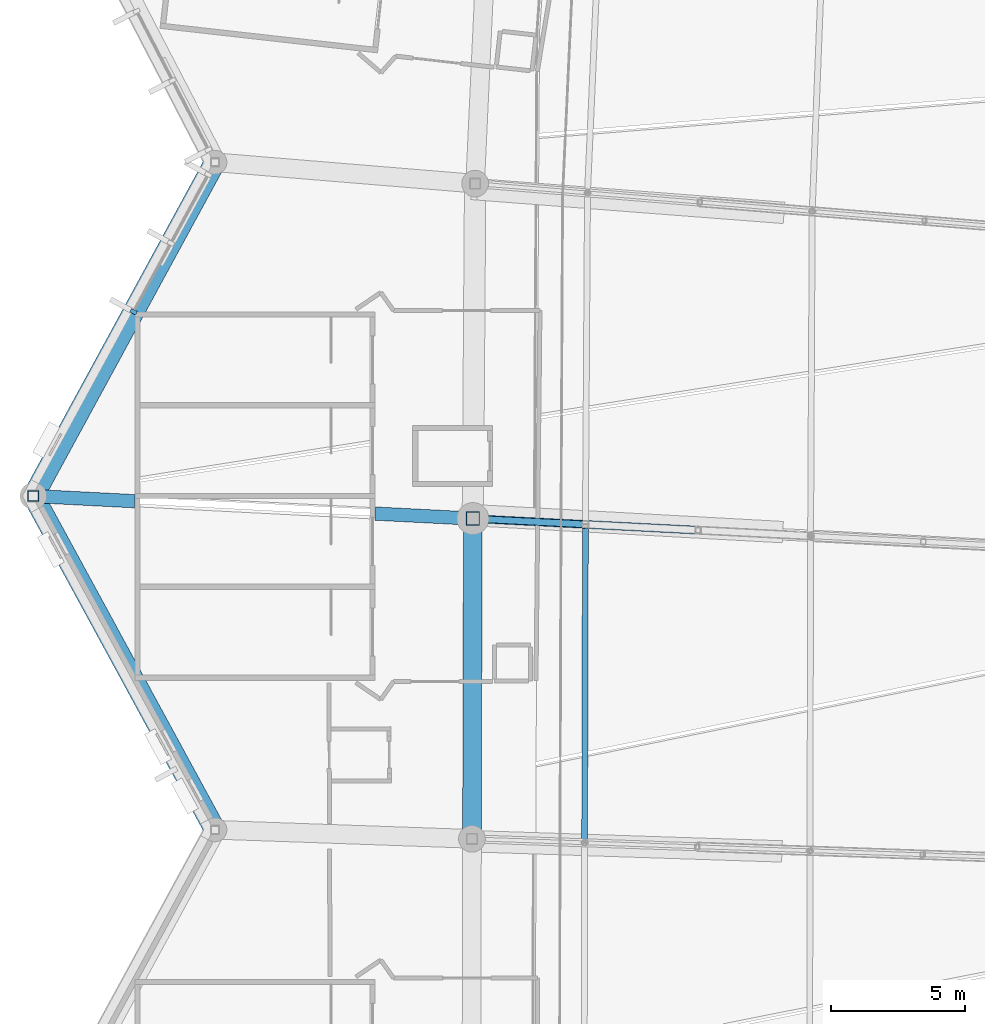
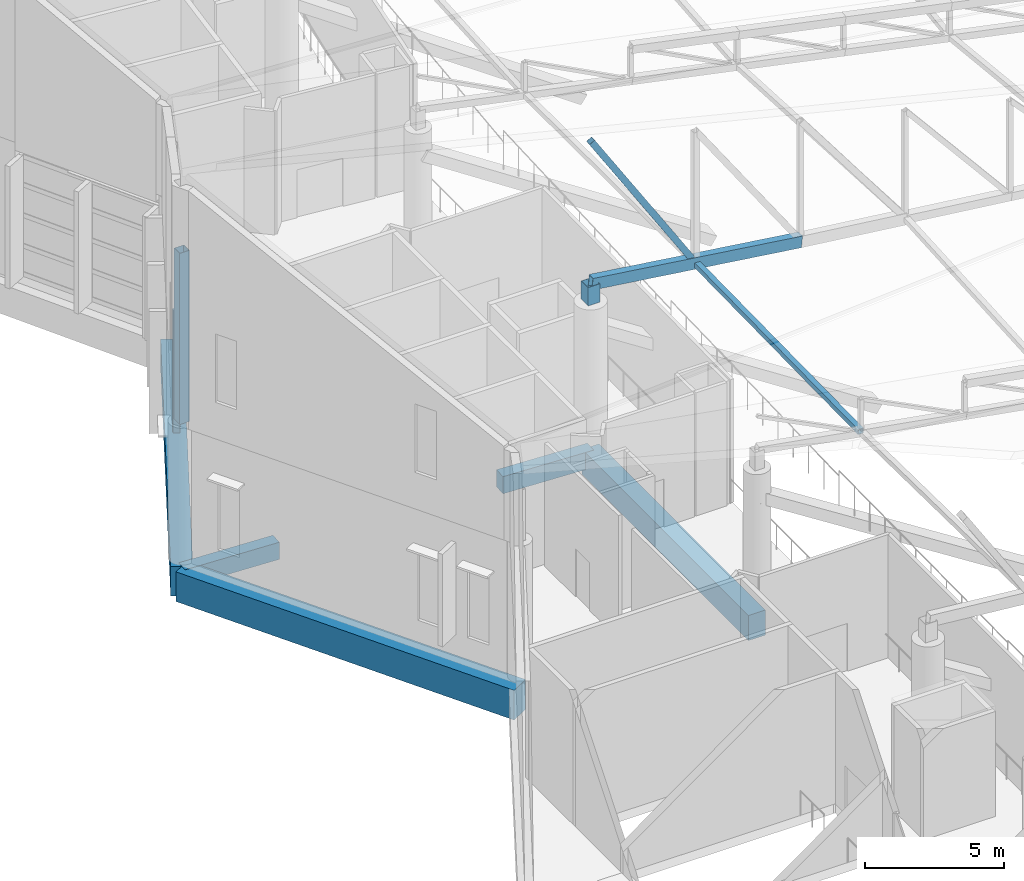
# One storey, part 117 of 344: 6 members, 5 beams, 1 element without a shape of its own.
"""IFC4 building model written with IfcOpenShell, lengths in metres."""

from ifc_helpers import new_model, si_unit, direction, frame, origin, origin_2d, place, context, subcontext, project, spatial, rectangle, hollow_rectangle, extrude, material, layer, layer_set, material_profile, profile_set, type_object, element, aggregate, save


model = new_model("IFC4")

# Units and contexts
model_context = context("Model", 3, precision=1e-05, world=origin(), true_north=direction((0.0, 1.0)))
body_context = subcontext(model_context, "Body", "Model", "MODEL_VIEW")
ifc_project = project(units=[si_unit("LENGTHUNIT", "METRE"), si_unit("AREAUNIT", "SQUARE_METRE"), si_unit("VOLUMEUNIT", "CUBIC_METRE"), si_unit("PLANEANGLEUNIT", "RADIAN"), si_unit("MASSUNIT", "GRAM", prefix="KILO")], contexts=[model_context])

# Site, building, storey
site_placement = place(None, origin())
site = spatial("IfcSite", under=ifc_project, at=site_placement, CompositionType="ELEMENT")
building_placement = place(site_placement, origin())
building = spatial("IfcBuilding", under=site, at=building_placement, Name="Meseta Stadium", CompositionType="ELEMENT")
storey_placement = place(building_placement, frame((0.0, 0.0, 24.0)))
storey = spatial("IfcBuildingStorey", under=building, at=storey_placement, Name="L04", CompositionType="ELEMENT", Elevation=24.0)

# Curtain wall, member
ifc_material_1 = material(Name="Steel S355", Category="steel")
ifc_layer = layer(ifc_material_1, 0.300048828125)
ifc_layer_set = layer_set([ifc_layer], Name="Valley atrium curtain wall")
curtain_wall_type = type_object("IfcCurtainWallType", Name="Valley atrium curtain wall", PredefinedType="NOTDEFINED", material=ifc_layer_set)
curtain_wall_placement = place(storey_placement, origin())
curtain_wall = element("IfcCurtainWall", 1, at=curtain_wall_placement, inside=storey, type_object=curtain_wall_type, Name="Valley atrium glazing F29", PredefinedType="NOTDEFINED")
ifc_material_2 = material(Name="Steel S355", Category="steel")
ifc_material_profile_1 = material_profile(ifc_material_2, rectangle(XDim=0.25, YDim=0.14990234375, at=origin_2d()), Name="CW 250x150")
ifc_profile_set_1 = profile_set([ifc_material_profile_1], Name="Steel S355")
member_type_1 = type_object("IfcMemberType", Name="CW mullion bar 250x150", PredefinedType="MULLION", material=ifc_profile_set_1)
member_1_placement = place(storey_placement, frame((-97.646240234375, 38.150146484375, 0.0), z_axis=(0.0, 0.0, 1.0), x_axis=(0.8784321511, -0.477867090218, 0.0)))
member_1 = element("IfcMember", 2, at=member_1_placement, type_object=member_type_1, Name="CWA mullion 3", PredefinedType="MULLION", context=body_context, shape_type="SweptSolid", body=[
    extrude(rectangle(XDim=0.25, YDim=0.14990234375, at=origin_2d()), origin(), (0.0, 0.0, 1.0), 5.35009765625),
])
aggregate(curtain_wall, [member_1])

# Beams
ifc_material_3 = material(Name="Concrete C40/50", Category="concrete")
ifc_material_profile_2 = material_profile(ifc_material_3, rectangle(XDim=0.5, YDim=0.75, at=origin_2d()), Name="RC 500x750")
ifc_profile_set_2 = profile_set([ifc_material_profile_2], Name="Concrete C40/50")
beam_type_1 = type_object("IfcBeamType", Name="RC beam 500x750", PredefinedType="BEAM", material=ifc_profile_set_2)
beam_1_placement = place(storey_placement, frame((-84.940673828125, 30.404052734375, -0.77490234375), z_axis=(-0.998683115753, 0.051303355736, 0.0), x_axis=(-0.051303355736, -0.998683115753, 0.0)))
element("IfcBeam", 3, at=beam_1_placement, inside=storey, type_object=beam_type_1, Name="L04 radial beam frame 30 line P to R", PredefinedType="BEAM", context=body_context, shape_type="SweptSolid", body=[
    extrude(rectangle(XDim=0.5, YDim=0.75, at=origin_2d()), origin(), (0.0, 0.0, 1.0), 3.664306640625),
])
beam_2_placement = place(storey_placement, frame((-97.60009765625, 31.0546875, -0.77490234375), z_axis=(-0.998681597522, 0.05133290144, 0.0), x_axis=(-0.05133290144, -0.998681597522, 0.0)))
element("IfcBeam", 4, at=beam_2_placement, inside=storey, type_object=beam_type_1, Name="L04 radial beam frame 30 line P to R", PredefinedType="BEAM", context=body_context, shape_type="SweptSolid", body=[
    extrude(rectangle(XDim=0.5, YDim=0.75, at=origin_2d()), origin(), (0.0, 0.0, 1.0), 3.804931640625),
])
ifc_material_4 = material(Name="Concrete C40/50", Category="concrete")
ifc_material_profile_3 = material_profile(ifc_material_4, rectangle(XDim=0.699951171875, YDim=1.10009765625, at=origin_2d()), Name="RC 700x1100")
ifc_profile_set_3 = profile_set([ifc_material_profile_3], Name="Concrete C40/50")
beam_type_2 = type_object("IfcBeamType", Name="RC beam 700x1100", PredefinedType="BEAM", material=ifc_profile_set_3)
beam_3_placement = place(storey_placement, frame((-84.940673828125, 30.404052734375, -0.949951171875), z_axis=(-0.002707369213, -0.999996335069, 0.0), x_axis=(0.999996335069, -0.002707369213, 0.0)))
element("IfcBeam", 5, at=beam_3_placement, inside=storey, type_object=beam_type_2, Name="L04 ring beam frame 30 line P", PredefinedType="BEAM", context=body_context, shape_type="SweptSolid", body=[
    extrude(rectangle(XDim=0.699951171875, YDim=1.10009765625, at=origin_2d()), origin(), (0.0, 0.0, 1.0), 11.993408203125),
])
ifc_material_5 = material(Name="Concrete C40/50", Category="concrete")
ifc_material_profile_4 = material_profile(ifc_material_5, rectangle(XDim=0.800048828125, YDim=1.300048828125, at=origin_2d()), Name="RC 800x1300")
ifc_profile_set_4 = profile_set([ifc_material_profile_4], Name="Concrete C40/50")
beam_type_3 = type_object("IfcBeamType", Name="RC beam 800x1300", PredefinedType="BEAM", material=ifc_profile_set_4)
for number, where, z_axis, x_axis, name in (
    (6, (-94.60009765625, 43.75, -1.050048828125), (-0.47785649891, -0.878437912689, 0.0), (0.878437912689, -0.47785649891, 0.0), "L04 ring beam frame 29 line R"),
    (7, (-101.39990234375, 31.25, -1.050048828125), (0.47785649891, -0.878437912689, 0.0), (0.878437912689, 0.47785649891, 0.0), "L04 ring beam frame 30 line R"),
):
    element("IfcBeam", number, at=place(storey_placement, frame(where, z_axis=z_axis, x_axis=x_axis)), inside=storey, type_object=beam_type_3, Name=name, PredefinedType="BEAM", context=body_context, shape_type="SweptSolid", body=[
        extrude(rectangle(XDim=0.800048828125, YDim=1.300048828125, at=origin_2d()), origin(), (0.0, 0.0, 1.0), 14.229736328125),
    ])

# Members
ifc_material_6 = material(Name="Steel S355", Category="steel")
ifc_material_profile_5 = material_profile(ifc_material_6, hollow_rectangle(XDim=0.300048828125, YDim=0.5, WallThickness=0.01611328125, at=origin_2d()), Name="RHS 500x300x16")
ifc_profile_set_5 = profile_set([ifc_material_profile_5], Name="Steel S355")
member_type_2 = type_object("IfcMemberType", Name="RHS 500x300x16 bottom chord", PredefinedType="CHORD", material=ifc_profile_set_5)
member_2_placement = place(storey_placement, frame((-76.50732421875, 29.970458984375, 5.972900390625), z_axis=(-0.993924208691, 0.051101797604, 0.097484735519), x_axis=(-0.051346359277, -0.99868090569, 0.0)))
element("IfcMember", 8, at=member_2_placement, inside=storey, type_object=member_type_2, Name="ROOF TRUSS RT-30 bottom chord", PredefinedType="CHORD", context=body_context, shape_type="SweptSolid", body=[
    extrude(hollow_rectangle(XDim=0.300048828125, YDim=0.5, WallThickness=0.01611328125, at=origin_2d()), origin(), (0.0, 0.0, 1.0), 8.48486328125),
])
ifc_material_7 = material(Name="Steel S355", Category="steel")
ifc_material_profile_6 = material_profile(ifc_material_7, hollow_rectangle(XDim=0.219970703125, YDim=0.219970703125, WallThickness=0.008056640625, at=origin_2d()), Name="SHS 220x220x8")
ifc_profile_set_6 = profile_set([ifc_material_profile_6], Name="Steel S355")
member_type_3 = type_object("IfcMemberType", Name="SHS 220x220x8 strut", PredefinedType="STRUT", material=ifc_profile_set_6)
member_3_placement = place(storey_placement, frame((-80.72412109375, 30.187255859375, 6.321044921875), z_axis=(-0.00245648828, -0.99991355421, -0.012917034204), x_axis=(0.999996982325, -0.002456693238, 0.0)))
element("IfcMember", 9, at=member_3_placement, inside=storey, type_object=member_type_3, Name="ROOF TRUSS STRUT RT-30/31", PredefinedType="STRUT", context=body_context, shape_type="SweptSolid", body=[
    extrude(hollow_rectangle(XDim=0.219970703125, YDim=0.219970703125, WallThickness=0.008056640625, at=origin_2d()), origin(), (0.0, 0.0, 1.0), 11.92626953125),
])
ifc_material_8 = material(Name="Steel S355", Category="steel")
ifc_material_profile_7 = material_profile(ifc_material_8, hollow_rectangle(XDim=0.25, YDim=0.25, WallThickness=0.010009765625, at=origin_2d()), Name="SHS 250x250x10")
ifc_profile_set_7 = profile_set([ifc_material_profile_7], Name="Steel S355")
member_type_4 = type_object("IfcMemberType", Name="SHS 250x250x10 diagonal", PredefinedType="BRACE", material=ifc_profile_set_7)
member_4_placement = place(storey_placement, frame((-80.72412109375, 30.187255859375, 6.321044921875), z_axis=(-0.533495673335, 0.027430036357, 0.845357888493), x_axis=(-0.051347841848, -0.998680829463, 0.0)))
element("IfcMember", 10, at=member_4_placement, inside=storey, type_object=member_type_4, Name="ROOF TRUSS RT-30 diagonal", PredefinedType="BRACE", context=body_context, shape_type="SweptSolid", body=[
    extrude(hollow_rectangle(XDim=0.25, YDim=0.25, WallThickness=0.010009765625, at=origin_2d()), origin(), (0.0, 0.0, 1.0), 7.903564453125),
])
ifc_material_9 = material(Name="Steel S355", Category="steel")
ifc_material_profile_8 = material_profile(ifc_material_9, hollow_rectangle(XDim=0.39990234375, YDim=0.39990234375, WallThickness=0.01416015625, at=origin_2d()), Name="SHS 400x400x14.2")
ifc_profile_set_8 = profile_set([ifc_material_profile_8], Name="Steel S355")
member_type_5 = type_object("IfcMemberType", Name="SHS 400x400x14.2 rim post", PredefinedType="POST", material=ifc_profile_set_8)
member_5_placement = place(storey_placement, frame((-101.39990234375, 31.25, 6.0), z_axis=(0.0, 0.0, 1.0), x_axis=(1.0, 0.0, 0.0)))
element("IfcMember", 11, at=member_5_placement, inside=storey, type_object=member_type_5, Name="ROOF RIM POST RT-30", PredefinedType="POST", context=body_context, shape_type="SweptSolid", body=[
    extrude(hollow_rectangle(XDim=0.39990234375, YDim=0.39990234375, WallThickness=0.01416015625, at=origin_2d()), origin(), (0.0, 0.0, 1.0), 7.5009765625),
])
ifc_material_10 = material(Name="Steel S355", Category="steel")
ifc_material_profile_9 = material_profile(ifc_material_10, hollow_rectangle(XDim=0.5, YDim=0.5, WallThickness=0.01611328125, at=origin_2d()), Name="SHS 500x500x16")
ifc_profile_set_9 = profile_set([ifc_material_profile_9], Name="Steel S355")
member_type_6 = type_object("IfcMemberType", Name="SHS 500x500x16 pedestal", PredefinedType="POST", material=ifc_profile_set_9)
member_6_placement = place(storey_placement, frame((-84.940673828125, 30.404052734375, 6.0), z_axis=(0.0, 0.0, 1.0), x_axis=(1.0, 0.0, 0.0)))
element("IfcMember", 12, at=member_6_placement, inside=storey, type_object=member_type_6, Name="ROOF TRUSS RT-30 pedestal", PredefinedType="POST", context=body_context, shape_type="SweptSolid", body=[
    extrude(hollow_rectangle(XDim=0.5, YDim=0.5, WallThickness=0.01611328125, at=origin_2d()), origin(), (0.0, 0.0, 1.0), 0.800048828125),
])

save(model, "model.ifc")
